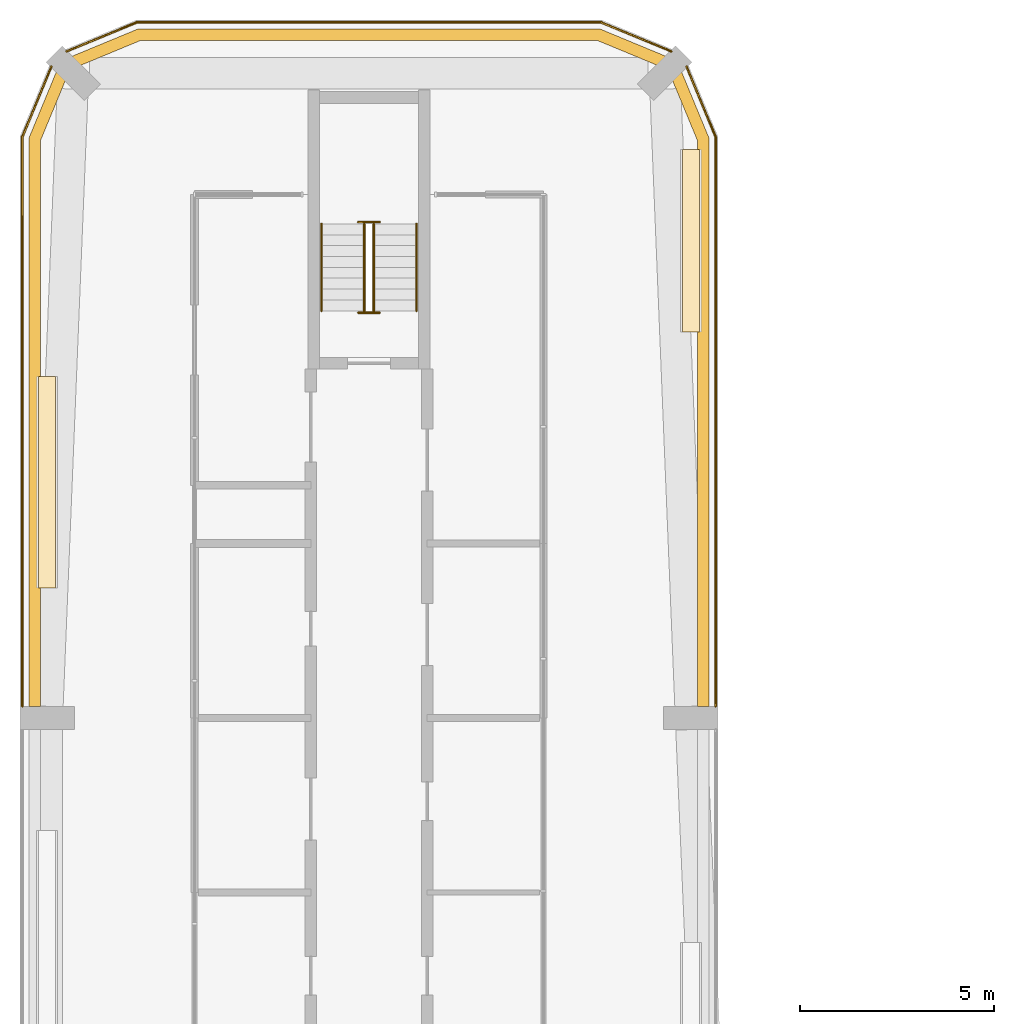
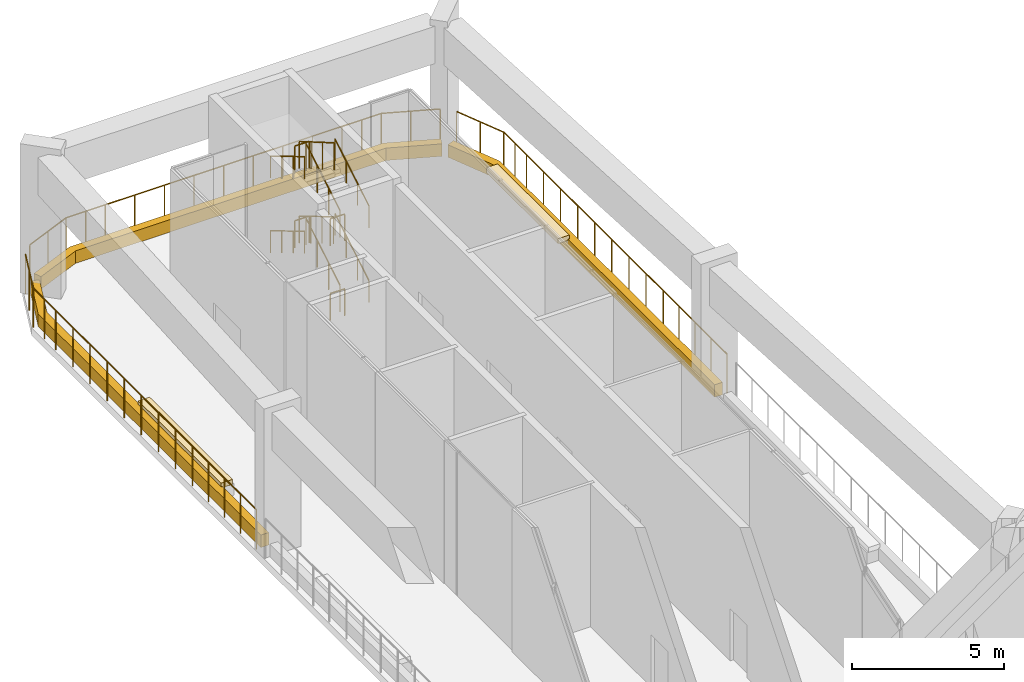
# One storey, part 17 of 17: 15 railings, 5 coverings.
"""IFC4 building model written with IfcOpenShell, lengths in metres."""

from ifc_helpers import new_model, si_unit, direction, frame, origin, origin_2d, place, context, subcontext, project, spatial, polyline, circle, outline, extrude, material, layer, layer_set, type_object, element, save


model = new_model("IFC4")

# Units and contexts
model_context = context("Model", 3, precision=1e-05, world=origin(), true_north=direction((0.0, 1.0)))
body_context = subcontext(model_context, "Body", "Model", "MODEL_VIEW")
ifc_project = project(units=[si_unit("LENGTHUNIT", "METRE"), si_unit("AREAUNIT", "SQUARE_METRE"), si_unit("VOLUMEUNIT", "CUBIC_METRE"), si_unit("PLANEANGLEUNIT", "RADIAN"), si_unit("MASSUNIT", "GRAM", prefix="KILO")], contexts=[model_context])

# Site, building, storey
site_placement = place(None, origin())
site = spatial("IfcSite", under=ifc_project, at=site_placement, CompositionType="ELEMENT")
building_placement = place(site_placement, origin())
building = spatial("IfcBuilding", under=site, at=building_placement, Name="Plateau Cross Towers", CompositionType="ELEMENT")
storey_placement = place(building_placement, frame((0.0, 0.0, 184.89990234375)))
storey = spatial("IfcBuildingStorey", under=building, at=storey_placement, Name="L48", CompositionType="ELEMENT", Elevation=184.89990234375)

# Railings
ifc_material_1 = material(Name="Stainless steel and toughened glass", Category="steel")
railing_type_1 = type_object("IfcRailingType", Name="Glass balustrade guard 1600", PredefinedType="GUARDRAIL", material=ifc_material_1)
railing_1_placement = place(storey_placement, frame((17.93994140625, 36.300048828125, 0.0)))
element("IfcRailing", 1, at=railing_1_placement, inside=storey, type_object=railing_type_1, Name="Guard A180_360", PredefinedType="GUARDRAIL", context=body_context, shape_type="SweptSolid", body=[
    extrude(circle(Radius=0.02392578125, at=origin_2d()), frame((0.0, 0.0, 1.576171875), z_axis=(0.0, 1.0, 0.0), x_axis=(-1.0, 0.0, 0.0)), (0.0, 0.0, 1.0), 14.68798828125),
    extrude(circle(Radius=0.02392578125, at=origin_2d()), frame((0.0, 14.68798828125, 1.576171875), z_axis=(-0.382641575801, 0.923896868957, 0.0), x_axis=(-0.923896868957, -0.382641575801, 0.0)), (0.0, 0.0, 1.0), 1.95947265625),
    extrude(circle(Radius=0.02099609375, at=origin_2d()), origin(), (0.0, 0.0, 1.0), 1.552001953125),
    extrude(circle(Radius=0.02099609375, at=origin_2d()), frame((0.0, 1.050048828125, 0.0)), (0.0, 0.0, 1.0), 1.552001953125),
    extrude(circle(Radius=0.02099609375, at=origin_2d()), frame((0.0, 2.10009765625, 0.0)), (0.0, 0.0, 1.0), 1.552001953125),
    extrude(circle(Radius=0.02099609375, at=origin_2d()), frame((0.0, 3.14990234375, 0.0)), (0.0, 0.0, 1.0), 1.552001953125),
    extrude(circle(Radius=0.02099609375, at=origin_2d()), frame((0.0, 4.199951171875, 0.0)), (0.0, 0.0, 1.0), 1.552001953125),
    extrude(circle(Radius=0.02099609375, at=origin_2d()), frame((0.0, 5.324951171875, 0.0)), (0.0, 0.0, 1.0), 1.552001953125),
    extrude(circle(Radius=0.02099609375, at=origin_2d()), frame((0.0, 6.449951171875, 0.0)), (0.0, 0.0, 1.0), 1.552001953125),
    extrude(circle(Radius=0.02099609375, at=origin_2d()), frame((0.0, 7.574951171875, 0.0)), (0.0, 0.0, 1.0), 1.552001953125),
    extrude(circle(Radius=0.02099609375, at=origin_2d()), frame((0.0, 8.699951171875, 0.0)), (0.0, 0.0, 1.0), 1.552001953125),
    extrude(circle(Radius=0.02099609375, at=origin_2d()), frame((0.0, 9.824951171875, 0.0)), (0.0, 0.0, 1.0), 1.552001953125),
    extrude(circle(Radius=0.02099609375, at=origin_2d()), frame((0.0, 10.949951171875, 0.0)), (0.0, 0.0, 1.0), 1.552001953125),
    extrude(circle(Radius=0.02099609375, at=origin_2d()), frame((0.0, 12.074951171875, 0.0)), (0.0, 0.0, 1.0), 1.552001953125),
    extrude(circle(Radius=0.02099609375, at=origin_2d()), frame((0.0, 13.199951171875, 0.0)), (0.0, 0.0, 1.0), 1.552001953125),
    extrude(circle(Radius=0.02099609375, at=origin_2d()), frame((0.0, 13.94384765625, 0.0)), (0.0, 0.0, 1.0), 1.552001953125),
    extrude(circle(Radius=0.02099609375, at=origin_2d()), frame((0.0, 14.68798828125, 0.0)), (0.0, 0.0, 1.0), 1.552001953125),
    extrude(circle(Radius=0.02099609375, at=origin_2d()), frame((-0.375, 15.59326171875, 0.0)), (0.0, 0.0, 1.0), 1.552001953125),
    extrude(circle(Radius=0.02099609375, at=origin_2d()), frame((-0.749755859375, 16.498291015625, 0.0)), (0.0, 0.0, 1.0), 1.552001953125),
])
railing_2_placement = place(storey_placement, frame((16.79833984375, 53.190185546875, 0.0)))
element("IfcRailing", 2, at=railing_2_placement, inside=storey, type_object=railing_type_1, Name="Guard A171_531", PredefinedType="GUARDRAIL", context=body_context, shape_type="SweptSolid", body=[
    extrude(circle(Radius=0.02392578125, at=origin_2d()), frame((0.0, 0.0, 1.576171875), z_axis=(-0.923896868957, 0.382641575801, 0.0), x_axis=(-0.382641575801, -0.923896868957, 0.0)), (0.0, 0.0, 1.0), 1.95947265625),
    extrude(circle(Radius=0.02392578125, at=origin_2d()), frame((-1.810302734375, 0.749755859375, 1.576171875), z_axis=(-1.0, 0.0, 0.0), x_axis=(0.0, -1.0, 0.0)), (0.0, 0.0, 1.0), 11.97607421875),
    extrude(circle(Radius=0.02392578125, at=origin_2d()), frame((-13.786376953125, 0.749755859375, 1.576171875), z_axis=(-0.923896868957, -0.382641575801, 0.0), x_axis=(0.382641575801, -0.923896868957, 0.0)), (0.0, 0.0, 1.0), 1.95947265625),
    extrude(circle(Radius=0.02099609375, at=origin_2d()), origin(), (0.0, 0.0, 1.0), 1.552001953125),
    extrude(circle(Radius=0.02099609375, at=origin_2d()), frame((-0.9052734375, 0.375, 0.0)), (0.0, 0.0, 1.0), 1.552001953125),
    extrude(circle(Radius=0.02099609375, at=origin_2d()), frame((-1.810302734375, 0.749755859375, 0.0)), (0.0, 0.0, 1.0), 1.552001953125),
    extrude(circle(Radius=0.02099609375, at=origin_2d()), frame((-2.55419921875, 0.749755859375, 0.0)), (0.0, 0.0, 1.0), 1.552001953125),
    extrude(circle(Radius=0.02099609375, at=origin_2d()), frame((-3.29833984375, 0.749755859375, 0.0)), (0.0, 0.0, 1.0), 1.552001953125),
    extrude(circle(Radius=0.02099609375, at=origin_2d()), frame((-4.42333984375, 0.749755859375, 0.0)), (0.0, 0.0, 1.0), 1.552001953125),
    extrude(circle(Radius=0.02099609375, at=origin_2d()), frame((-5.54833984375, 0.749755859375, 0.0)), (0.0, 0.0, 1.0), 1.552001953125),
    extrude(circle(Radius=0.02099609375, at=origin_2d()), frame((-6.67333984375, 0.749755859375, 0.0)), (0.0, 0.0, 1.0), 1.552001953125),
    extrude(circle(Radius=0.02099609375, at=origin_2d()), frame((-7.79833984375, 0.749755859375, 0.0)), (0.0, 0.0, 1.0), 1.552001953125),
    extrude(circle(Radius=0.02099609375, at=origin_2d()), frame((-8.92333984375, 0.749755859375, 0.0)), (0.0, 0.0, 1.0), 1.552001953125),
    extrude(circle(Radius=0.02099609375, at=origin_2d()), frame((-10.04833984375, 0.749755859375, 0.0)), (0.0, 0.0, 1.0), 1.552001953125),
    extrude(circle(Radius=0.02099609375, at=origin_2d()), frame((-11.17333984375, 0.749755859375, 0.0)), (0.0, 0.0, 1.0), 1.552001953125),
    extrude(circle(Radius=0.02099609375, at=origin_2d()), frame((-12.29833984375, 0.749755859375, 0.0)), (0.0, 0.0, 1.0), 1.552001953125),
    extrude(circle(Radius=0.02099609375, at=origin_2d()), frame((-13.04248046875, 0.749755859375, 0.0)), (0.0, 0.0, 1.0), 1.552001953125),
    extrude(circle(Radius=0.02099609375, at=origin_2d()), frame((-13.786376953125, 0.749755859375, 0.0)), (0.0, 0.0, 1.0), 1.552001953125),
    extrude(circle(Radius=0.02099609375, at=origin_2d()), frame((-14.69140625, 0.375, 0.0)), (0.0, 0.0, 1.0), 1.552001953125),
    extrude(circle(Radius=0.02099609375, at=origin_2d()), frame((-15.5966796875, 0.0, 0.0)), (0.0, 0.0, 1.0), 1.552001953125),
])
railing_3_placement = place(storey_placement, frame((0.809814453125, 52.79833984375, 0.0)))
element("IfcRailing", 3, at=railing_3_placement, inside=storey, type_object=railing_type_1, Name="Guard A9_531", PredefinedType="GUARDRAIL", context=body_context, shape_type="SweptSolid", body=[
    extrude(circle(Radius=0.02392578125, at=origin_2d()), frame((0.0, 0.0, 1.576171875), z_axis=(-0.382641575801, -0.923896868957, 0.0), x_axis=(0.923896868957, -0.382641575801, 0.0)), (0.0, 0.0, 1.0), 1.95947265625),
    extrude(circle(Radius=0.02392578125, at=origin_2d()), frame((-0.749755859375, -1.810302734375, 1.576171875), z_axis=(0.0, -1.0, 0.0), x_axis=(1.0, 0.0, 0.0)), (0.0, 0.0, 1.0), 14.68798828125),
    extrude(circle(Radius=0.02099609375, at=origin_2d()), origin(), (0.0, 0.0, 1.0), 1.552001953125),
    extrude(circle(Radius=0.02099609375, at=origin_2d()), frame((-0.375, -0.9052734375, 0.0)), (0.0, 0.0, 1.0), 1.552001953125),
    extrude(circle(Radius=0.02099609375, at=origin_2d()), frame((-0.749755859375, -1.810302734375, 0.0)), (0.0, 0.0, 1.0), 1.552001953125),
    extrude(circle(Radius=0.02099609375, at=origin_2d()), frame((-0.749755859375, -2.55419921875, 0.0)), (0.0, 0.0, 1.0), 1.552001953125),
    extrude(circle(Radius=0.02099609375, at=origin_2d()), frame((-0.749755859375, -3.29833984375, 0.0)), (0.0, 0.0, 1.0), 1.552001953125),
    extrude(circle(Radius=0.02099609375, at=origin_2d()), frame((-0.749755859375, -4.42333984375, 0.0)), (0.0, 0.0, 1.0), 1.552001953125),
    extrude(circle(Radius=0.02099609375, at=origin_2d()), frame((-0.749755859375, -5.54833984375, 0.0)), (0.0, 0.0, 1.0), 1.552001953125),
    extrude(circle(Radius=0.02099609375, at=origin_2d()), frame((-0.749755859375, -6.67333984375, 0.0)), (0.0, 0.0, 1.0), 1.552001953125),
    extrude(circle(Radius=0.02099609375, at=origin_2d()), frame((-0.749755859375, -7.79833984375, 0.0)), (0.0, 0.0, 1.0), 1.552001953125),
    extrude(circle(Radius=0.02099609375, at=origin_2d()), frame((-0.749755859375, -8.92333984375, 0.0)), (0.0, 0.0, 1.0), 1.552001953125),
    extrude(circle(Radius=0.02099609375, at=origin_2d()), frame((-0.749755859375, -10.04833984375, 0.0)), (0.0, 0.0, 1.0), 1.552001953125),
    extrude(circle(Radius=0.02099609375, at=origin_2d()), frame((-0.749755859375, -11.17333984375, 0.0)), (0.0, 0.0, 1.0), 1.552001953125),
    extrude(circle(Radius=0.02099609375, at=origin_2d()), frame((-0.749755859375, -12.29833984375, 0.0)), (0.0, 0.0, 1.0), 1.552001953125),
    extrude(circle(Radius=0.02099609375, at=origin_2d()), frame((-0.749755859375, -13.348388671875, 0.0)), (0.0, 0.0, 1.0), 1.552001953125),
    extrude(circle(Radius=0.02099609375, at=origin_2d()), frame((-0.749755859375, -14.3984375, 0.0)), (0.0, 0.0, 1.0), 1.552001953125),
    extrude(circle(Radius=0.02099609375, at=origin_2d()), frame((-0.749755859375, -15.4482421875, 0.0)), (0.0, 0.0, 1.0), 1.552001953125),
    extrude(circle(Radius=0.02099609375, at=origin_2d()), frame((-0.749755859375, -16.498291015625, 0.0)), (0.0, 0.0, 1.0), 1.552001953125),
])

# Coverings
ifc_material_2 = material(Name="Planting substrate and ground cover")
ifc_layer = layer(ifc_material_2, 0.199951171875)
ifc_layer_set = layer_set([ifc_layer], Name="Planting substrate and ground cover")
covering_type_1 = type_object("IfcCoveringType", Name="Planting bed 200", PredefinedType="FLOORING", material=ifc_layer_set)
covering_1_placement = place(storey_placement, frame((0.0, 0.0, 0.4501953125)))
element("IfcCovering", 4, at=covering_1_placement, inside=storey, type_object=covering_type_1, Name="Planting bed 2", PredefinedType="FLOORING", context=body_context, shape_type="SweptSolid", body=[
    extrude(outline(polyline([(0.47998046875, 44.80615234375), (0.909912109375, 44.80615234375), (0.909912109375, 39.350341796875), (0.47998046875, 39.350341796875), (0.47998046875, 44.80615234375)])), origin(), (0.0, 0.0, 1.0), 0.199951171875),
])
covering_2_placement = place(storey_placement, frame((0.0, 0.0, 0.4501953125)))
element("IfcCovering", 5, at=covering_2_placement, inside=storey, type_object=covering_type_1, Name="Planting bed 3", PredefinedType="FLOORING", context=body_context, shape_type="SweptSolid", body=[
    extrude(outline(polyline([(17.52001953125, 45.949462890625), (17.090087890625, 45.949462890625), (17.090087890625, 50.661865234375), (17.52001953125, 50.661865234375), (17.52001953125, 45.949462890625)])), origin(), (0.0, 0.0, 1.0), 0.199951171875),
])

# Railings
railing_type_2 = type_object("IfcRailingType", Name="RL-GUARD-1100", PredefinedType="GUARDRAIL", material=ifc_material_1)
railing_4_placement = place(storey_placement, frame((9.125, 46.5, 0.166748046875)))
element("IfcRailing", 6, at=railing_4_placement, inside=storey, type_object=railing_type_2, Name="L48 ES-N stair guard 1", PredefinedType="GUARDRAIL", context=body_context, shape_type="SweptSolid", body=[
    extrude(circle(Radius=0.02392578125, at=origin_2d()), frame((0.0, 0.0, 1.076171875), z_axis=(0.0, 0.859305625298, 0.511462454469), x_axis=(-1.0, 0.0, 0.0)), (0.0, 0.0, 1.0), 2.606689453125),
    extrude(circle(Radius=0.02099609375, at=origin_2d()), origin(), (0.0, 0.0, 1.0), 1.052001953125),
    extrude(circle(Radius=0.02099609375, at=origin_2d()), frame((0.0, 0.74658203125, 0.4443359375)), (0.0, 0.0, 1.0), 1.052001953125),
    extrude(circle(Radius=0.02099609375, at=origin_2d()), frame((0.0, 1.493408203125, 0.888916015625)), (0.0, 0.0, 1.0), 1.052001953125),
    extrude(circle(Radius=0.02099609375, at=origin_2d()), frame((0.0, 2.239990234375, 1.333251953125)), (0.0, 0.0, 1.0), 1.052001953125),
])
railing_5_placement = place(storey_placement, frame((9.27490234375, 48.7900390625, 1.5)))
element("IfcRailing", 7, at=railing_5_placement, inside=storey, type_object=railing_type_2, Name="L48 ES-N stair guard 2", PredefinedType="GUARDRAIL", context=body_context, shape_type="SweptSolid", body=[
    extrude(circle(Radius=0.02392578125, at=origin_2d()), frame((0.0, 0.0, 1.076171875), z_axis=(-1.0, 0.0, 0.0), x_axis=(0.0, -1.0, 0.0)), (0.0, 0.0, 1.0), 0.5498046875),
    extrude(circle(Radius=0.02099609375, at=origin_2d()), origin(), (0.0, 0.0, 1.0), 1.052001953125),
    extrude(circle(Radius=0.02099609375, at=origin_2d()), frame((-0.5498046875, 0.0, 0.0)), (0.0, 0.0, 1.0), 1.052001953125),
])
railing_6_placement = place(storey_placement, frame((8.875, 48.739990234375, 1.666748046875)))
element("IfcRailing", 8, at=railing_6_placement, inside=storey, type_object=railing_type_2, Name="L48 ES-N stair guard 3", PredefinedType="GUARDRAIL", context=body_context, shape_type="SweptSolid", body=[
    extrude(circle(Radius=0.02392578125, at=origin_2d()), frame((0.0, 0.0, 1.076171875), z_axis=(0.0, -0.859305625298, 0.511462454469), x_axis=(1.0, 0.0, 0.0)), (0.0, 0.0, 1.0), 2.606689453125),
    extrude(circle(Radius=0.02099609375, at=origin_2d()), origin(), (0.0, 0.0, 1.0), 1.052001953125),
    extrude(circle(Radius=0.02099609375, at=origin_2d()), frame((0.0, -0.74658203125, 0.4443359375)), (0.0, 0.0, 1.0), 1.052001953125),
    extrude(circle(Radius=0.02099609375, at=origin_2d()), frame((0.0, -1.493408203125, 0.888916015625)), (0.0, 0.0, 1.0), 1.052001953125),
    extrude(circle(Radius=0.02099609375, at=origin_2d()), frame((0.0, -2.239990234375, 1.333251953125)), (0.0, 0.0, 1.0), 1.052001953125),
])
railing_7_placement = place(storey_placement, frame((9.27490234375, 46.449951171875, 3.0)))
element("IfcRailing", 9, at=railing_7_placement, inside=storey, type_object=railing_type_2, Name="L48 ES-N stair guard 4", PredefinedType="GUARDRAIL", context=body_context, shape_type="SweptSolid", body=[
    extrude(circle(Radius=0.02392578125, at=origin_2d()), frame((0.0, 0.0, 1.076171875), z_axis=(-1.0, 0.0, 0.0), x_axis=(0.0, -1.0, 0.0)), (0.0, 0.0, 1.0), 0.5498046875),
    extrude(circle(Radius=0.02099609375, at=origin_2d()), origin(), (0.0, 0.0, 1.0), 1.052001953125),
    extrude(circle(Radius=0.02099609375, at=origin_2d()), frame((-0.5498046875, 0.0, 0.0)), (0.0, 0.0, 1.0), 1.052001953125),
])
railing_8_placement = place(storey_placement, frame((9.125, 46.5, 3.166748046875)))
element("IfcRailing", 10, at=railing_8_placement, inside=storey, type_object=railing_type_2, Name="L48 ES-N stair guard 5", PredefinedType="GUARDRAIL", context=body_context, shape_type="SweptSolid", body=[
    extrude(circle(Radius=0.02392578125, at=origin_2d()), frame((0.0, 0.0, 1.076171875), z_axis=(0.0, 0.859305625298, 0.511462454469), x_axis=(-1.0, 0.0, 0.0)), (0.0, 0.0, 1.0), 2.606689453125),
    extrude(circle(Radius=0.02099609375, at=origin_2d()), origin(), (0.0, 0.0, 1.0), 1.052001953125),
    extrude(circle(Radius=0.02099609375, at=origin_2d()), frame((0.0, 0.74658203125, 0.4443359375)), (0.0, 0.0, 1.0), 1.052001953125),
    extrude(circle(Radius=0.02099609375, at=origin_2d()), frame((0.0, 1.493408203125, 0.888916015625)), (0.0, 0.0, 1.0), 1.052001953125),
    extrude(circle(Radius=0.02099609375, at=origin_2d()), frame((0.0, 2.239990234375, 1.333251953125)), (0.0, 0.0, 1.0), 1.052001953125),
])
railing_9_placement = place(storey_placement, frame((9.27490234375, 48.7900390625, 4.5)))
element("IfcRailing", 11, at=railing_9_placement, inside=storey, type_object=railing_type_2, Name="L48 ES-N stair guard 6", PredefinedType="GUARDRAIL", context=body_context, shape_type="SweptSolid", body=[
    extrude(circle(Radius=0.02392578125, at=origin_2d()), frame((0.0, 0.0, 1.076171875), z_axis=(-1.0, 0.0, 0.0), x_axis=(0.0, -1.0, 0.0)), (0.0, 0.0, 1.0), 0.5498046875),
    extrude(circle(Radius=0.02099609375, at=origin_2d()), origin(), (0.0, 0.0, 1.0), 1.052001953125),
    extrude(circle(Radius=0.02099609375, at=origin_2d()), frame((-0.5498046875, 0.0, 0.0)), (0.0, 0.0, 1.0), 1.052001953125),
])
railing_10_placement = place(storey_placement, frame((8.875, 48.739990234375, 4.666748046875)))
element("IfcRailing", 12, at=railing_10_placement, inside=storey, type_object=railing_type_2, Name="L48 ES-N stair guard 7", PredefinedType="GUARDRAIL", context=body_context, shape_type="SweptSolid", body=[
    extrude(circle(Radius=0.02392578125, at=origin_2d()), frame((0.0, 0.0, 1.076171875), z_axis=(0.0, -0.864206315334, 0.503137600004), x_axis=(1.0, 0.0, 0.0)), (0.0, 0.0, 1.0), 2.64990234375),
    extrude(circle(Radius=0.02099609375, at=origin_2d()), origin(), (0.0, 0.0, 1.0), 1.052001953125),
    extrude(circle(Radius=0.02099609375, at=origin_2d()), frame((0.0, -0.763427734375, 0.4443359375)), (0.0, 0.0, 1.0), 1.052001953125),
    extrude(circle(Radius=0.02099609375, at=origin_2d()), frame((0.0, -1.526611328125, 0.888916015625)), (0.0, 0.0, 1.0), 1.052001953125),
    extrude(circle(Radius=0.02099609375, at=origin_2d()), frame((0.0, -2.2900390625, 1.333251953125)), (0.0, 0.0, 1.0), 1.052001953125),
])
railing_11_placement = place(storey_placement, frame((9.27490234375, 46.449951171875, 0.0)))
element("IfcRailing", 13, at=railing_11_placement, inside=storey, type_object=railing_type_2, Name="L48 ES-N stair guard 8", PredefinedType="GUARDRAIL", context=body_context, shape_type="SweptSolid", body=[
    extrude(circle(Radius=0.02392578125, at=origin_2d()), frame((0.0, 0.0, 1.076171875), z_axis=(-1.0, 0.0, 0.0), x_axis=(0.0, -1.0, 0.0)), (0.0, 0.0, 1.0), 0.5498046875),
    extrude(circle(Radius=0.02099609375, at=origin_2d()), origin(), (0.0, 0.0, 1.0), 1.052001953125),
    extrude(circle(Radius=0.02099609375, at=origin_2d()), frame((-0.5498046875, 0.0, 0.0)), (0.0, 0.0, 1.0), 1.052001953125),
])
ifc_material_3 = material(Name="Black anodised aluminium", Category="aluminium")
railing_type_3 = type_object("IfcRailingType", Name="RL-HANDRAIL-900", PredefinedType="HANDRAIL", material=ifc_material_3)
railing_12_placement = place(storey_placement, frame((10.22509765625, 46.5, 0.166748046875)))
element("IfcRailing", 14, at=railing_12_placement, inside=storey, type_object=railing_type_3, Name="L48 ES-N stair handrail 1", PredefinedType="HANDRAIL", context=body_context, shape_type="SweptSolid", body=[
    extrude(circle(Radius=0.02392578125, at=origin_2d()), frame((0.0, 0.0, 0.8759765625), z_axis=(0.0, 0.859305625298, 0.511462454469), x_axis=(-1.0, 0.0, 0.0)), (0.0, 0.0, 1.0), 2.606689453125),
    extrude(circle(Radius=0.02099609375, at=origin_2d()), origin(), (0.0, 0.0, 1.0), 0.851806640625),
    extrude(circle(Radius=0.02099609375, at=origin_2d()), frame((0.0, 0.74658203125, 0.4443359375)), (0.0, 0.0, 1.0), 0.851806640625),
    extrude(circle(Radius=0.02099609375, at=origin_2d()), frame((0.0, 1.493408203125, 0.888916015625)), (0.0, 0.0, 1.0), 0.851806640625),
    extrude(circle(Radius=0.02099609375, at=origin_2d()), frame((0.0, 2.239990234375, 1.333251953125)), (0.0, 0.0, 1.0), 0.851806640625),
])
railing_13_placement = place(storey_placement, frame((7.77490234375, 48.739990234375, 1.666748046875)))
element("IfcRailing", 15, at=railing_13_placement, inside=storey, type_object=railing_type_3, Name="L48 ES-N stair handrail 2", PredefinedType="HANDRAIL", context=body_context, shape_type="SweptSolid", body=[
    extrude(circle(Radius=0.02392578125, at=origin_2d()), frame((0.0, 0.0, 0.8759765625), z_axis=(0.0, -0.859305625298, 0.511462454469), x_axis=(1.0, 0.0, 0.0)), (0.0, 0.0, 1.0), 2.606689453125),
    extrude(circle(Radius=0.02099609375, at=origin_2d()), origin(), (0.0, 0.0, 1.0), 0.851806640625),
    extrude(circle(Radius=0.02099609375, at=origin_2d()), frame((0.0, -0.74658203125, 0.4443359375)), (0.0, 0.0, 1.0), 0.851806640625),
    extrude(circle(Radius=0.02099609375, at=origin_2d()), frame((0.0, -1.493408203125, 0.888916015625)), (0.0, 0.0, 1.0), 0.851806640625),
    extrude(circle(Radius=0.02099609375, at=origin_2d()), frame((0.0, -2.239990234375, 1.333251953125)), (0.0, 0.0, 1.0), 0.851806640625),
])
railing_14_placement = place(storey_placement, frame((10.22509765625, 46.5, 3.166748046875)))
element("IfcRailing", 16, at=railing_14_placement, inside=storey, type_object=railing_type_3, Name="L48 ES-N stair handrail 3", PredefinedType="HANDRAIL", context=body_context, shape_type="SweptSolid", body=[
    extrude(circle(Radius=0.02392578125, at=origin_2d()), frame((0.0, 0.0, 0.8759765625), z_axis=(0.0, 0.859305625298, 0.511462454469), x_axis=(-1.0, 0.0, 0.0)), (0.0, 0.0, 1.0), 2.606689453125),
    extrude(circle(Radius=0.02099609375, at=origin_2d()), origin(), (0.0, 0.0, 1.0), 0.851806640625),
    extrude(circle(Radius=0.02099609375, at=origin_2d()), frame((0.0, 0.74658203125, 0.4443359375)), (0.0, 0.0, 1.0), 0.851806640625),
    extrude(circle(Radius=0.02099609375, at=origin_2d()), frame((0.0, 1.493408203125, 0.888916015625)), (0.0, 0.0, 1.0), 0.851806640625),
    extrude(circle(Radius=0.02099609375, at=origin_2d()), frame((0.0, 2.239990234375, 1.333251953125)), (0.0, 0.0, 1.0), 0.851806640625),
])
railing_15_placement = place(storey_placement, frame((7.77490234375, 48.739990234375, 4.666748046875)))
element("IfcRailing", 17, at=railing_15_placement, inside=storey, type_object=railing_type_3, Name="L48 ES-N stair handrail 4", PredefinedType="HANDRAIL", context=body_context, shape_type="SweptSolid", body=[
    extrude(circle(Radius=0.02392578125, at=origin_2d()), frame((0.0, 0.0, 0.8759765625), z_axis=(0.0, -0.859305625298, 0.511462454469), x_axis=(1.0, 0.0, 0.0)), (0.0, 0.0, 1.0), 2.606689453125),
    extrude(circle(Radius=0.02099609375, at=origin_2d()), origin(), (0.0, 0.0, 1.0), 0.851806640625),
    extrude(circle(Radius=0.02099609375, at=origin_2d()), frame((0.0, -0.74658203125, 0.4443359375)), (0.0, 0.0, 1.0), 0.851806640625),
    extrude(circle(Radius=0.02099609375, at=origin_2d()), frame((0.0, -1.493408203125, 0.888916015625)), (0.0, 0.0, 1.0), 0.851806640625),
    extrude(circle(Radius=0.02099609375, at=origin_2d()), frame((0.0, -2.239990234375, 1.333251953125)), (0.0, 0.0, 1.0), 0.851806640625),
])

# Coverings
ifc_material_4 = material(Name="Light precast concrete cladding C40/50", Category="concrete")
covering_type_2 = type_object("IfcCoveringType", Name="Sill kerb cladding 300x500", PredefinedType="CLADDING", material=ifc_material_4)
covering_3_placement = place(storey_placement, origin())
element("IfcCovering", 18, at=covering_3_placement, inside=storey, type_object=covering_type_2, Name="Sill kerb 4", PredefinedType="CLADDING", context=body_context, shape_type="SweptSolid", body=[
    extrude(outline(polyline([(17.469970703125, 50.89453125), (16.755859375, 52.618408203125), (17.033203125, 52.733154296875), (17.77001953125, 50.954345703125), (17.77001953125, 36.300048828125), (17.469970703125, 36.300048828125), (17.469970703125, 50.89453125)])), origin(), (0.0, 0.0, 1.0), 0.5),
])
covering_4_placement = place(storey_placement, origin())
element("IfcCovering", 19, at=covering_4_placement, inside=storey, type_object=covering_type_2, Name="Sill kerb 5", PredefinedType="CLADDING", context=body_context, shape_type="SweptSolid", body=[
    extrude(outline(polyline([(14.89453125, 53.469970703125), (3.10546875, 53.469970703125), (1.381591796875, 52.755859375), (1.266845703125, 53.033203125), (3.045654296875, 53.77001953125), (14.954345703125, 53.77001953125), (16.733154296875, 53.033203125), (16.618408203125, 52.755859375), (14.89453125, 53.469970703125)])), origin(), (0.0, 0.0, 1.0), 0.5),
])
covering_5_placement = place(storey_placement, origin())
element("IfcCovering", 20, at=covering_5_placement, inside=storey, type_object=covering_type_2, Name="Sill kerb 6", PredefinedType="CLADDING", context=body_context, shape_type="SweptSolid", body=[
    extrude(outline(polyline([(0.530029296875, 50.89453125), (0.530029296875, 36.300048828125), (0.22998046875, 36.300048828125), (0.22998046875, 50.954345703125), (0.966796875, 52.733154296875), (1.244140625, 52.618408203125), (0.530029296875, 50.89453125)])), origin(), (0.0, 0.0, 1.0), 0.5),
])

save(model, "model.ifc")
